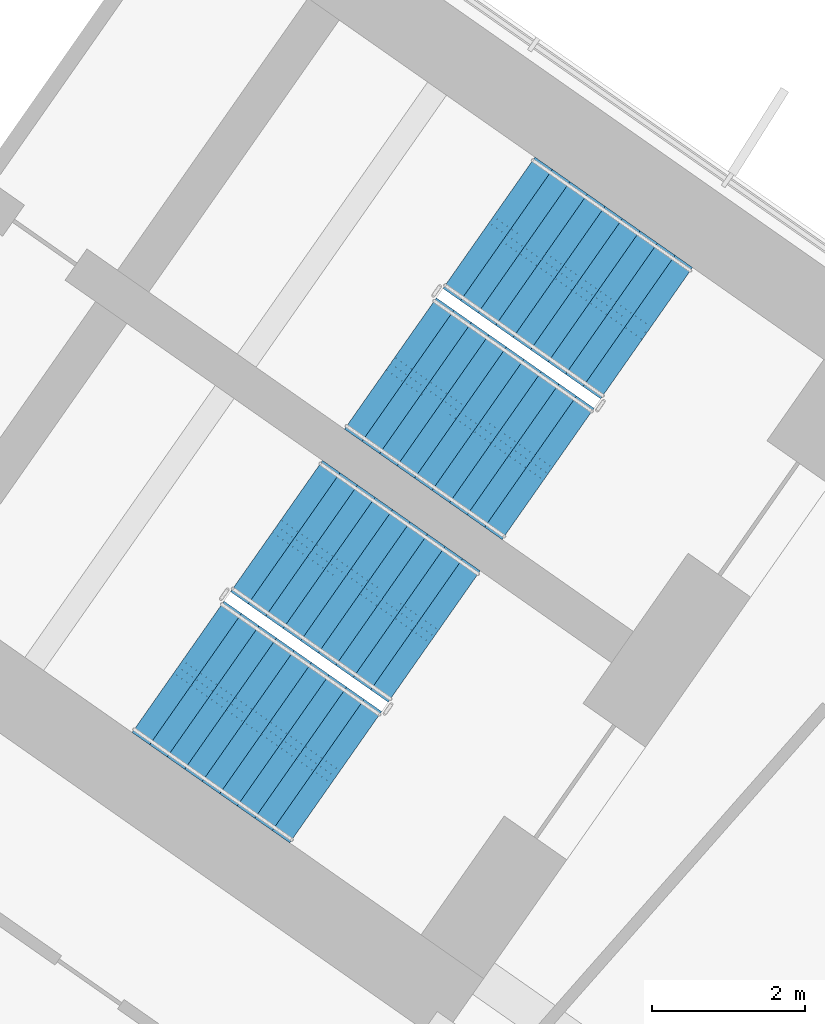
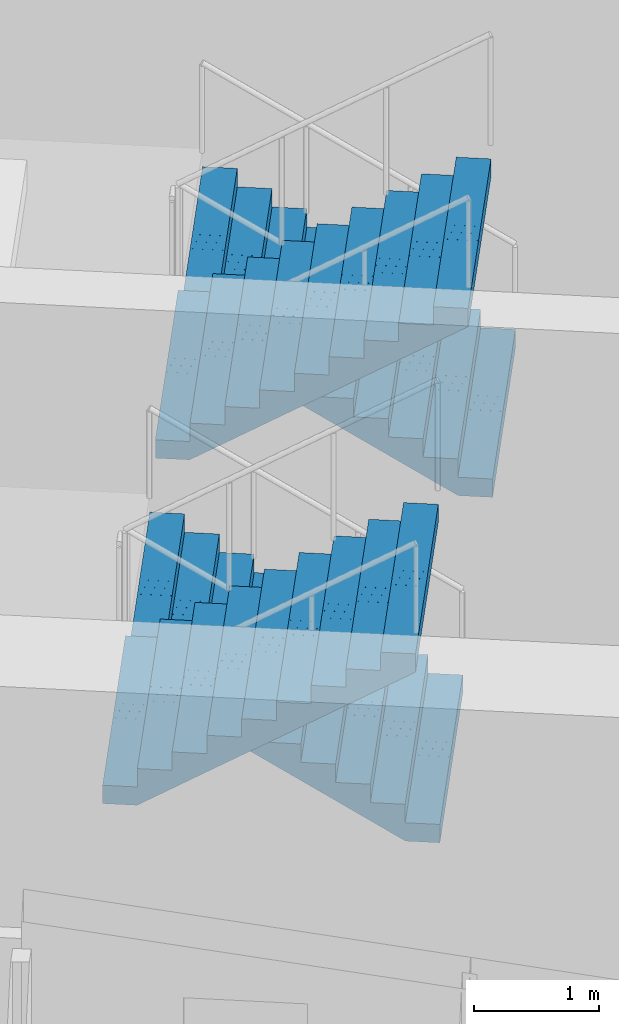
# One storey, part 18 of 25: 4 stair flights, 2 elements without a shape of their own.
"""IFC4 building model written with IfcOpenShell, lengths in metres."""

from ifc_helpers import new_model, si_unit, direction, frame, origin, place, context, subcontext, project, spatial, polyline, outline, extrude, material, type_object, element, aggregate, save


model = new_model("IFC4")

# Units and contexts
model_context = context("Model", 3, precision=1e-05, world=origin(), true_north=direction((0.0, 1.0)))
body_context = subcontext(model_context, "Body", "Model", "MODEL_VIEW")
ifc_project = project(units=[si_unit("LENGTHUNIT", "METRE"), si_unit("AREAUNIT", "SQUARE_METRE"), si_unit("VOLUMEUNIT", "CUBIC_METRE"), si_unit("PLANEANGLEUNIT", "RADIAN"), si_unit("MASSUNIT", "GRAM", prefix="KILO")], contexts=[model_context])

# Site, building, storey
site_placement = place(None, origin())
site = spatial("IfcSite", under=ifc_project, at=site_placement, CompositionType="ELEMENT")
building_placement = place(site_placement, origin())
building = spatial("IfcBuilding", under=site, at=building_placement, Name="Tel Ilan Convention Tower", CompositionType="ELEMENT")
storey_placement = place(building_placement, frame((0.0, 0.0, 76.10009765625)))
storey = spatial("IfcBuildingStorey", under=building, at=storey_placement, Name="L14", CompositionType="ELEMENT", Elevation=76.10009765625)

# Stair, stair flights
ifc_material_1 = material(Name="Concrete C40/50", Category="concrete")
stair_type = type_object("IfcStairType", Name="Pressurised Exit Stair 20 risers 180 mm", PredefinedType="HALF_TURN_STAIR", material=ifc_material_1)
stair_1_placement = place(storey_placement, origin())
stair_1 = element("IfcStair", 1, at=stair_1_placement, inside=storey, type_object=stair_type, Name="L14 Pressurised Stair S3", PredefinedType="HALF_TURN_STAIR")
ifc_material_2 = material(Name="Precast Concrete C40/50", Category="concrete")
stair_flight_type = type_object("IfcStairFlightType", Name="Concrete Stair Flight 2100 mm 20 risers 180 mm", PredefinedType="STRAIGHT", material=ifc_material_2)
stair_flight_1_placement = place(storey_placement, frame((24.25244140625, -7.032470703125, 0.0), z_axis=(0.0, 0.0, 1.0), x_axis=(-0.819152044289, 0.573576436351, 0.0)))
stair_flight_1 = element("IfcStairFlight", 2, at=stair_flight_1_placement, type_object=stair_flight_type, Name="S3 flight 1", NumberOfRisers=10, NumberOfTreads=9, PredefinedType="STRAIGHT", RiserHeight=0.18, TreadLength=0.28, context=body_context, shape_type="SweptSolid", body=[
    extrude(outline(polyline([(0.0, 0.0), (0.0, 0.179931640625), (0.280029296875, 0.179931640625), (0.280029296875, 0.360107421875), (0.56005859375, 0.360107421875), (0.56005859375, 0.5400390625), (0.840087890625, 0.5400390625), (0.840087890625, 0.719970703125), (1.1201171875, 0.719970703125), (1.1201171875, 0.89990234375), (1.39990234375, 0.89990234375), (1.39990234375, 1.080078125), (1.679931640625, 1.080078125), (1.679931640625, 1.260009765625), (1.9599609375, 1.260009765625), (1.9599609375, 1.43994140625), (2.239990234375, 1.43994140625), (2.239990234375, 1.6201171875), (2.52001953125, 1.6201171875), (2.52001953125, 1.800048828125), (2.52001953125, 1.44189453125), (0.277099609375, 0.0), (0.0, 0.0)])), frame((0.0, -0.100341796875, 0.0), z_axis=(0.0, -1.0, 0.0), x_axis=(1.0, 0.0, 0.0)), (0.0, 0.0, 1.0), 0.94970703125),
    extrude(outline(polyline([(0.0, 0.0), (0.0, 0.179931640625), (0.280029296875, 0.179931640625), (0.280029296875, 0.360107421875), (0.56005859375, 0.360107421875), (0.56005859375, 0.5400390625), (0.840087890625, 0.5400390625), (0.840087890625, 0.719970703125), (1.1201171875, 0.719970703125), (1.1201171875, 0.89990234375), (1.39990234375, 0.89990234375), (1.39990234375, 1.080078125), (1.679931640625, 1.080078125), (1.679931640625, 1.260009765625), (1.9599609375, 1.260009765625), (1.9599609375, 1.43994140625), (2.239990234375, 1.43994140625), (2.239990234375, 1.6201171875), (2.52001953125, 1.6201171875), (2.52001953125, 1.800048828125), (2.52001953125, 1.44189453125), (0.277099609375, 0.0), (0.0, 0.0)])), frame((0.0, -0.000244140625, 0.0), z_axis=(0.0, -1.0, 0.0), x_axis=(1.0, 0.0, 0.0)), (0.0, 0.0, 1.0), 0.099609375),
    extrude(outline(polyline([(0.0, 0.0), (0.0, 0.179931640625), (0.280029296875, 0.179931640625), (0.280029296875, 0.360107421875), (0.56005859375, 0.360107421875), (0.56005859375, 0.5400390625), (0.840087890625, 0.5400390625), (0.840087890625, 0.719970703125), (1.1201171875, 0.719970703125), (1.1201171875, 0.89990234375), (1.39990234375, 0.89990234375), (1.39990234375, 1.080078125), (1.679931640625, 1.080078125), (1.679931640625, 1.260009765625), (1.9599609375, 1.260009765625), (1.9599609375, 1.43994140625), (2.239990234375, 1.43994140625), (2.239990234375, 1.6201171875), (2.52001953125, 1.6201171875), (2.52001953125, 1.800048828125), (2.52001953125, 1.44189453125), (0.277099609375, 0.0), (0.0, 0.0)])), frame((0.0, 0.099853515625, 0.0), z_axis=(0.0, -1.0, 0.0), x_axis=(1.0, 0.0, 0.0)), (0.0, 0.0, 1.0), 0.099609375),
    extrude(outline(polyline([(0.0, 0.0), (0.0, 0.179931640625), (0.280029296875, 0.179931640625), (0.280029296875, 0.360107421875), (0.56005859375, 0.360107421875), (0.56005859375, 0.5400390625), (0.840087890625, 0.5400390625), (0.840087890625, 0.719970703125), (1.1201171875, 0.719970703125), (1.1201171875, 0.89990234375), (1.39990234375, 0.89990234375), (1.39990234375, 1.080078125), (1.679931640625, 1.080078125), (1.679931640625, 1.260009765625), (1.9599609375, 1.260009765625), (1.9599609375, 1.43994140625), (2.239990234375, 1.43994140625), (2.239990234375, 1.6201171875), (2.52001953125, 1.6201171875), (2.52001953125, 1.800048828125), (2.52001953125, 1.44189453125), (0.277099609375, 0.0), (0.0, 0.0)])), frame((0.0, 1.050048828125, 0.0), z_axis=(0.0, -1.0, 0.0), x_axis=(1.0, 0.0, 0.0)), (0.0, 0.0, 1.0), 0.94970703125),
])
stair_flight_2_placement = place(storey_placement, frame((20.8974609375, -7.43017578125, 1.7998046875), z_axis=(0.0, 0.0, 1.0), x_axis=(0.819152044289, -0.573576436351, 0.0)))
stair_flight_2 = element("IfcStairFlight", 3, at=stair_flight_2_placement, type_object=stair_flight_type, Name="S3 flight 2", NumberOfRisers=10, NumberOfTreads=9, PredefinedType="STRAIGHT", RiserHeight=0.18, TreadLength=0.28, context=body_context, shape_type="SweptSolid", body=[
    extrude(outline(polyline([(0.0, 0.0), (0.0, 0.179931640625), (0.280029296875, 0.179931640625), (0.280029296875, 0.360107421875), (0.56005859375, 0.360107421875), (0.56005859375, 0.5400390625), (0.840087890625, 0.5400390625), (0.840087890625, 0.719970703125), (1.1201171875, 0.719970703125), (1.1201171875, 0.89990234375), (1.39990234375, 0.89990234375), (1.39990234375, 1.080078125), (1.679931640625, 1.080078125), (1.679931640625, 1.260009765625), (1.9599609375, 1.260009765625), (1.9599609375, 1.43994140625), (2.239990234375, 1.43994140625), (2.239990234375, 1.6201171875), (2.52001953125, 1.6201171875), (2.52001953125, 1.800048828125), (2.52001953125, 1.44189453125), (0.277099609375, 0.0), (0.0, 0.0)])), frame((0.0, -0.100341796875, 0.0), z_axis=(0.0, -1.0, 0.0), x_axis=(1.0, 0.0, 0.0)), (0.0, 0.0, 1.0), 0.94970703125),
    extrude(outline(polyline([(0.0, 0.0), (0.0, 0.179931640625), (0.280029296875, 0.179931640625), (0.280029296875, 0.360107421875), (0.56005859375, 0.360107421875), (0.56005859375, 0.5400390625), (0.840087890625, 0.5400390625), (0.840087890625, 0.719970703125), (1.1201171875, 0.719970703125), (1.1201171875, 0.89990234375), (1.39990234375, 0.89990234375), (1.39990234375, 1.080078125), (1.679931640625, 1.080078125), (1.679931640625, 1.260009765625), (1.9599609375, 1.260009765625), (1.9599609375, 1.43994140625), (2.239990234375, 1.43994140625), (2.239990234375, 1.6201171875), (2.52001953125, 1.6201171875), (2.52001953125, 1.800048828125), (2.52001953125, 1.44189453125), (0.277099609375, 0.0), (0.0, 0.0)])), frame((0.0, -0.000244140625, 0.0), z_axis=(0.0, -1.0, 0.0), x_axis=(1.0, 0.0, 0.0)), (0.0, 0.0, 1.0), 0.099609375),
    extrude(outline(polyline([(0.0, 0.0), (0.0, 0.179931640625), (0.280029296875, 0.179931640625), (0.280029296875, 0.360107421875), (0.56005859375, 0.360107421875), (0.56005859375, 0.5400390625), (0.840087890625, 0.5400390625), (0.840087890625, 0.719970703125), (1.1201171875, 0.719970703125), (1.1201171875, 0.89990234375), (1.39990234375, 0.89990234375), (1.39990234375, 1.080078125), (1.679931640625, 1.080078125), (1.679931640625, 1.260009765625), (1.9599609375, 1.260009765625), (1.9599609375, 1.43994140625), (2.239990234375, 1.43994140625), (2.239990234375, 1.6201171875), (2.52001953125, 1.6201171875), (2.52001953125, 1.800048828125), (2.52001953125, 1.44189453125), (0.277099609375, 0.0), (0.0, 0.0)])), frame((0.0, 0.099853515625, 0.0), z_axis=(0.0, -1.0, 0.0), x_axis=(1.0, 0.0, 0.0)), (0.0, 0.0, 1.0), 0.099609375),
    extrude(outline(polyline([(0.0, 0.0), (0.0, 0.179931640625), (0.280029296875, 0.179931640625), (0.280029296875, 0.360107421875), (0.56005859375, 0.360107421875), (0.56005859375, 0.5400390625), (0.840087890625, 0.5400390625), (0.840087890625, 0.719970703125), (1.1201171875, 0.719970703125), (1.1201171875, 0.89990234375), (1.39990234375, 0.89990234375), (1.39990234375, 1.080078125), (1.679931640625, 1.080078125), (1.679931640625, 1.260009765625), (1.9599609375, 1.260009765625), (1.9599609375, 1.43994140625), (2.239990234375, 1.43994140625), (2.239990234375, 1.6201171875), (2.52001953125, 1.6201171875), (2.52001953125, 1.800048828125), (2.52001953125, 1.44189453125), (0.277099609375, 0.0), (0.0, 0.0)])), frame((0.0, 1.050048828125, 0.0), z_axis=(0.0, -1.0, 0.0), x_axis=(1.0, 0.0, 0.0)), (0.0, 0.0, 1.0), 0.94970703125),
])
aggregate(stair_1, [stair_flight_1, stair_flight_2])

stair_2_placement = place(storey_placement, origin())
stair_2 = element("IfcStair", 4, at=stair_2_placement, inside=storey, type_object=stair_type, Name="L14 Pressurised Stair S4", PredefinedType="HALF_TURN_STAIR")
stair_flight_3_placement = place(storey_placement, frame((21.470458984375, -11.00537109375, 0.0), z_axis=(0.0, 0.0, 1.0), x_axis=(-0.819152044289, 0.573576436351, 0.0)))
stair_flight_3 = element("IfcStairFlight", 5, at=stair_flight_3_placement, type_object=stair_flight_type, Name="S4 flight 1", NumberOfRisers=10, NumberOfTreads=9, PredefinedType="STRAIGHT", RiserHeight=0.18, TreadLength=0.28, context=body_context, shape_type="SweptSolid", body=[
    extrude(outline(polyline([(0.0, 0.0), (0.0, 0.179931640625), (0.280029296875, 0.179931640625), (0.280029296875, 0.360107421875), (0.56005859375, 0.360107421875), (0.56005859375, 0.5400390625), (0.840087890625, 0.5400390625), (0.840087890625, 0.719970703125), (1.1201171875, 0.719970703125), (1.1201171875, 0.89990234375), (1.39990234375, 0.89990234375), (1.39990234375, 1.080078125), (1.679931640625, 1.080078125), (1.679931640625, 1.260009765625), (1.9599609375, 1.260009765625), (1.9599609375, 1.43994140625), (2.239990234375, 1.43994140625), (2.239990234375, 1.6201171875), (2.52001953125, 1.6201171875), (2.52001953125, 1.800048828125), (2.52001953125, 1.44189453125), (0.277099609375, 0.0), (0.0, 0.0)])), frame((0.0, -0.100341796875, 0.0), z_axis=(0.0, -1.0, 0.0), x_axis=(1.0, 0.0, 0.0)), (0.0, 0.0, 1.0), 0.94970703125),
    extrude(outline(polyline([(0.0, 0.0), (0.0, 0.179931640625), (0.280029296875, 0.179931640625), (0.280029296875, 0.360107421875), (0.56005859375, 0.360107421875), (0.56005859375, 0.5400390625), (0.840087890625, 0.5400390625), (0.840087890625, 0.719970703125), (1.1201171875, 0.719970703125), (1.1201171875, 0.89990234375), (1.39990234375, 0.89990234375), (1.39990234375, 1.080078125), (1.679931640625, 1.080078125), (1.679931640625, 1.260009765625), (1.9599609375, 1.260009765625), (1.9599609375, 1.43994140625), (2.239990234375, 1.43994140625), (2.239990234375, 1.6201171875), (2.52001953125, 1.6201171875), (2.52001953125, 1.800048828125), (2.52001953125, 1.44189453125), (0.277099609375, 0.0), (0.0, 0.0)])), frame((0.0, -0.000244140625, 0.0), z_axis=(0.0, -1.0, 0.0), x_axis=(1.0, 0.0, 0.0)), (0.0, 0.0, 1.0), 0.099609375),
    extrude(outline(polyline([(0.0, 0.0), (0.0, 0.179931640625), (0.280029296875, 0.179931640625), (0.280029296875, 0.360107421875), (0.56005859375, 0.360107421875), (0.56005859375, 0.5400390625), (0.840087890625, 0.5400390625), (0.840087890625, 0.719970703125), (1.1201171875, 0.719970703125), (1.1201171875, 0.89990234375), (1.39990234375, 0.89990234375), (1.39990234375, 1.080078125), (1.679931640625, 1.080078125), (1.679931640625, 1.260009765625), (1.9599609375, 1.260009765625), (1.9599609375, 1.43994140625), (2.239990234375, 1.43994140625), (2.239990234375, 1.6201171875), (2.52001953125, 1.6201171875), (2.52001953125, 1.800048828125), (2.52001953125, 1.44189453125), (0.277099609375, 0.0), (0.0, 0.0)])), frame((0.0, 0.099853515625, 0.0), z_axis=(0.0, -1.0, 0.0), x_axis=(1.0, 0.0, 0.0)), (0.0, 0.0, 1.0), 0.099609375),
    extrude(outline(polyline([(0.0, 0.0), (0.0, 0.179931640625), (0.280029296875, 0.179931640625), (0.280029296875, 0.360107421875), (0.56005859375, 0.360107421875), (0.56005859375, 0.5400390625), (0.840087890625, 0.5400390625), (0.840087890625, 0.719970703125), (1.1201171875, 0.719970703125), (1.1201171875, 0.89990234375), (1.39990234375, 0.89990234375), (1.39990234375, 1.080078125), (1.679931640625, 1.080078125), (1.679931640625, 1.260009765625), (1.9599609375, 1.260009765625), (1.9599609375, 1.43994140625), (2.239990234375, 1.43994140625), (2.239990234375, 1.6201171875), (2.52001953125, 1.6201171875), (2.52001953125, 1.800048828125), (2.52001953125, 1.44189453125), (0.277099609375, 0.0), (0.0, 0.0)])), frame((0.0, 1.050048828125, 0.0), z_axis=(0.0, -1.0, 0.0), x_axis=(1.0, 0.0, 0.0)), (0.0, 0.0, 1.0), 0.94970703125),
])
stair_flight_4_placement = place(storey_placement, frame((18.11572265625, -11.403076171875, 1.7998046875), z_axis=(0.0, 0.0, 1.0), x_axis=(0.819152044289, -0.573576436351, 0.0)))
stair_flight_4 = element("IfcStairFlight", 6, at=stair_flight_4_placement, type_object=stair_flight_type, Name="S4 flight 2", NumberOfRisers=10, NumberOfTreads=9, PredefinedType="STRAIGHT", RiserHeight=0.18, TreadLength=0.28, context=body_context, shape_type="SweptSolid", body=[
    extrude(outline(polyline([(0.0, 0.0), (0.0, 0.179931640625), (0.280029296875, 0.179931640625), (0.280029296875, 0.360107421875), (0.56005859375, 0.360107421875), (0.56005859375, 0.5400390625), (0.840087890625, 0.5400390625), (0.840087890625, 0.719970703125), (1.1201171875, 0.719970703125), (1.1201171875, 0.89990234375), (1.39990234375, 0.89990234375), (1.39990234375, 1.080078125), (1.679931640625, 1.080078125), (1.679931640625, 1.260009765625), (1.9599609375, 1.260009765625), (1.9599609375, 1.43994140625), (2.239990234375, 1.43994140625), (2.239990234375, 1.6201171875), (2.52001953125, 1.6201171875), (2.52001953125, 1.800048828125), (2.52001953125, 1.44189453125), (0.277099609375, 0.0), (0.0, 0.0)])), frame((0.0, -0.100341796875, 0.0), z_axis=(0.0, -1.0, 0.0), x_axis=(1.0, 0.0, 0.0)), (0.0, 0.0, 1.0), 0.94970703125),
    extrude(outline(polyline([(0.0, 0.0), (0.0, 0.179931640625), (0.280029296875, 0.179931640625), (0.280029296875, 0.360107421875), (0.56005859375, 0.360107421875), (0.56005859375, 0.5400390625), (0.840087890625, 0.5400390625), (0.840087890625, 0.719970703125), (1.1201171875, 0.719970703125), (1.1201171875, 0.89990234375), (1.39990234375, 0.89990234375), (1.39990234375, 1.080078125), (1.679931640625, 1.080078125), (1.679931640625, 1.260009765625), (1.9599609375, 1.260009765625), (1.9599609375, 1.43994140625), (2.239990234375, 1.43994140625), (2.239990234375, 1.6201171875), (2.52001953125, 1.6201171875), (2.52001953125, 1.800048828125), (2.52001953125, 1.44189453125), (0.277099609375, 0.0), (0.0, 0.0)])), frame((0.0, -0.000244140625, 0.0), z_axis=(0.0, -1.0, 0.0), x_axis=(1.0, 0.0, 0.0)), (0.0, 0.0, 1.0), 0.099609375),
    extrude(outline(polyline([(0.0, 0.0), (0.0, 0.179931640625), (0.280029296875, 0.179931640625), (0.280029296875, 0.360107421875), (0.56005859375, 0.360107421875), (0.56005859375, 0.5400390625), (0.840087890625, 0.5400390625), (0.840087890625, 0.719970703125), (1.1201171875, 0.719970703125), (1.1201171875, 0.89990234375), (1.39990234375, 0.89990234375), (1.39990234375, 1.080078125), (1.679931640625, 1.080078125), (1.679931640625, 1.260009765625), (1.9599609375, 1.260009765625), (1.9599609375, 1.43994140625), (2.239990234375, 1.43994140625), (2.239990234375, 1.6201171875), (2.52001953125, 1.6201171875), (2.52001953125, 1.800048828125), (2.52001953125, 1.44189453125), (0.277099609375, 0.0), (0.0, 0.0)])), frame((0.0, 0.099853515625, 0.0), z_axis=(0.0, -1.0, 0.0), x_axis=(1.0, 0.0, 0.0)), (0.0, 0.0, 1.0), 0.099609375),
    extrude(outline(polyline([(0.0, 0.0), (0.0, 0.179931640625), (0.280029296875, 0.179931640625), (0.280029296875, 0.360107421875), (0.56005859375, 0.360107421875), (0.56005859375, 0.5400390625), (0.840087890625, 0.5400390625), (0.840087890625, 0.719970703125), (1.1201171875, 0.719970703125), (1.1201171875, 0.89990234375), (1.39990234375, 0.89990234375), (1.39990234375, 1.080078125), (1.679931640625, 1.080078125), (1.679931640625, 1.260009765625), (1.9599609375, 1.260009765625), (1.9599609375, 1.43994140625), (2.239990234375, 1.43994140625), (2.239990234375, 1.6201171875), (2.52001953125, 1.6201171875), (2.52001953125, 1.800048828125), (2.52001953125, 1.44189453125), (0.277099609375, 0.0), (0.0, 0.0)])), frame((0.0, 1.050048828125, 0.0), z_axis=(0.0, -1.0, 0.0), x_axis=(1.0, 0.0, 0.0)), (0.0, 0.0, 1.0), 0.94970703125),
])
aggregate(stair_2, [stair_flight_3, stair_flight_4])

save(model, "model.ifc")
